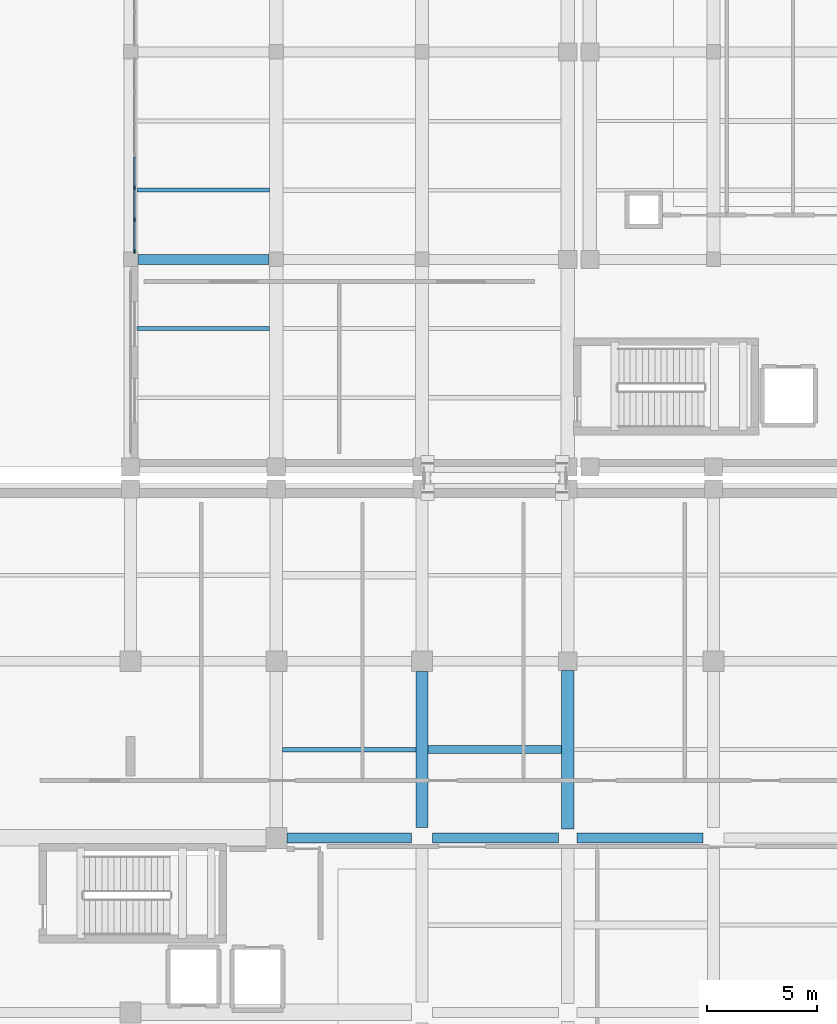
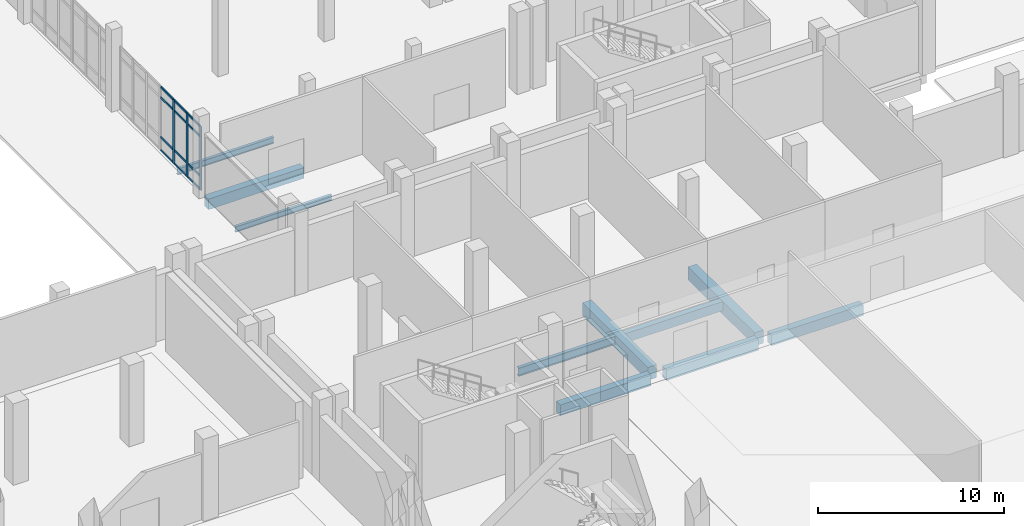
# One storey, part 27 of 79: 15 members, 10 beams, 1 element without a shape of its own.
"""IFC4 building model written with IfcOpenShell, lengths in metres."""

from ifc_helpers import new_model, si_unit, direction, frame, origin, origin_2d, place, context, subcontext, project, spatial, rectangle, i_section, extrude, material, layer, layer_set, material_profile, profile_set, type_object, element, aggregate, save


model = new_model("IFC4")

# Units and contexts
model_context = context("Model", 3, precision=1e-05, world=origin(), true_north=direction((0.0, 1.0)))
body_context = subcontext(model_context, "Body", "Model", "MODEL_VIEW")
ifc_project = project(units=[si_unit("LENGTHUNIT", "METRE"), si_unit("AREAUNIT", "SQUARE_METRE"), si_unit("VOLUMEUNIT", "CUBIC_METRE"), si_unit("PLANEANGLEUNIT", "RADIAN"), si_unit("MASSUNIT", "GRAM", prefix="KILO")], contexts=[model_context])

# Site, building, storey
site_placement = place(None, origin())
site = spatial("IfcSite", under=ifc_project, at=site_placement, CompositionType="ELEMENT")
building_placement = place(site_placement, origin())
building = spatial("IfcBuilding", under=site, at=building_placement, Name="Kelarvand Opera House", CompositionType="ELEMENT")
storey_placement = place(building_placement, origin())
storey = spatial("IfcBuildingStorey", under=building, at=storey_placement, Name="L00", CompositionType="ELEMENT", Elevation=0.0)

# Curtain wall, members
ifc_material_1 = material(Name="Thermally broken aluminium and low-E glazing", Category="aluminium")
ifc_layer = layer(ifc_material_1, 0.179931640625, Name="Thermally broken aluminium and low-E glazing", Category="aluminium")
ifc_layer_set = layer_set([ifc_layer], Name="Thermally broken aluminium and low-E glazing")
curtain_wall_type = type_object("IfcCurtainWallType", Name="Unitised Low-E Curtain Wall 4361x4200 Mod 1450 CWF-38", PredefinedType="USERDEFINED", material=ifc_layer_set)
curtain_wall_placement = place(storey_placement, origin())
curtain_wall = element("IfcCurtainWall", 1, at=curtain_wall_placement, inside=storey, type_object=curtain_wall_type, Name="V5 L00 Curtain Wall CWF-38 (170)", ObjectType="UNITISED CURTAIN WALL", PredefinedType="USERDEFINED")
ifc_material_2 = material(Name="Thermally broken anodised aluminium", Category="aluminium")
ifc_material_profile_1 = material_profile(ifc_material_2, rectangle(XDim=0.06494140625, YDim=0.179931640625, at=origin_2d()), Name="ALU MULLION 65x180", Category="aluminium")
ifc_profile_set_1 = profile_set([ifc_material_profile_1], Name="Thermally broken anodised aluminium")
member_type_1 = type_object("IfcMemberType", Name="Curtain Wall Mullion 65x180 Aluminium", PredefinedType="MULLION", material=ifc_profile_set_1)
member_1_placement = place(storey_placement, frame((95.780029296875, 96.967529296875, 0.0), z_axis=(0.0, 0.0, 1.0), x_axis=(-1.0, 0.0, 0.0)))
member_1 = element("IfcMember", 2, at=member_1_placement, type_object=member_type_1, Name="CWF-38 mullion 1", PredefinedType="MULLION", context=body_context, shape_type="SweptSolid", body=[
    extrude(rectangle(XDim=0.06494140625, YDim=0.179931640625, at=origin_2d()), origin(), (0.0, 0.0, 1.0), 4.199951171875),
])
member_2_placement = place(storey_placement, frame((95.780029296875, 98.388671875, 0.0), z_axis=(0.0, 0.0, 1.0), x_axis=(-1.0, 0.0, 0.0)))
member_2 = element("IfcMember", 3, at=member_2_placement, type_object=member_type_1, Name="CWF-38 mullion 2", PredefinedType="MULLION", context=body_context, shape_type="SweptSolid", body=[
    extrude(rectangle(XDim=0.06494140625, YDim=0.179931640625, at=origin_2d()), origin(), (0.0, 0.0, 1.0), 4.199951171875),
])
member_3_placement = place(storey_placement, frame((95.780029296875, 99.84228515625, 0.0), z_axis=(0.0, 0.0, 1.0), x_axis=(-1.0, 0.0, 0.0)))
member_3 = element("IfcMember", 4, at=member_3_placement, type_object=member_type_1, Name="CWF-38 mullion 3", PredefinedType="MULLION", context=body_context, shape_type="SweptSolid", body=[
    extrude(rectangle(XDim=0.06494140625, YDim=0.179931640625, at=origin_2d()), origin(), (0.0, 0.0, 1.0), 4.199951171875),
])
ifc_material_profile_2 = material_profile(ifc_material_2, rectangle(XDim=0.06494140625, YDim=0.139892578125, at=origin_2d()), Name="ALU TRANSOM 65x140", Category="aluminium")
ifc_profile_set_2 = profile_set([ifc_material_profile_2], Name="Thermally broken anodised aluminium")
member_type_2 = type_object("IfcMemberType", Name="Curtain Wall Transom 65x140 Aluminium", PredefinedType="USERDEFINED", material=ifc_profile_set_2)
member_4_placement = place(storey_placement, frame((95.780029296875, 97.0, 0.032470703125), z_axis=(0.0, 1.0, 0.0), x_axis=(-1.0, 0.0, 0.0)))
member_4 = element("IfcMember", 5, at=member_4_placement, type_object=member_type_2, Name="CWF-38 transom 1.1", ObjectType="TRANSOM", PredefinedType="USERDEFINED", context=body_context, shape_type="SweptSolid", body=[
    extrude(rectangle(XDim=0.06494140625, YDim=0.139892578125, at=origin_2d()), origin(), (0.0, 0.0, 1.0), 1.356201171875),
])
member_5_placement = place(storey_placement, frame((95.780029296875, 97.0, 0.89990234375), z_axis=(0.0, 1.0, 0.0), x_axis=(-1.0, 0.0, 0.0)))
member_5 = element("IfcMember", 6, at=member_5_placement, type_object=member_type_2, Name="CWF-38 transom 1.2", ObjectType="TRANSOM", PredefinedType="USERDEFINED", context=body_context, shape_type="SweptSolid", body=[
    extrude(rectangle(XDim=0.06494140625, YDim=0.139892578125, at=origin_2d()), origin(), (0.0, 0.0, 1.0), 1.356201171875),
])
member_6_placement = place(storey_placement, frame((95.780029296875, 97.0, 3.5), z_axis=(0.0, 1.0, 0.0), x_axis=(-1.0, 0.0, 0.0)))
member_6 = element("IfcMember", 7, at=member_6_placement, type_object=member_type_2, Name="CWF-38 transom 1.3", ObjectType="TRANSOM", PredefinedType="USERDEFINED", context=body_context, shape_type="SweptSolid", body=[
    extrude(rectangle(XDim=0.06494140625, YDim=0.139892578125, at=origin_2d()), origin(), (0.0, 0.0, 1.0), 1.356201171875),
])
member_7_placement = place(storey_placement, frame((95.780029296875, 97.0, 4.16748046875), z_axis=(0.0, 1.0, 0.0), x_axis=(-1.0, 0.0, 0.0)))
member_7 = element("IfcMember", 8, at=member_7_placement, type_object=member_type_2, Name="CWF-38 transom 1.4", ObjectType="TRANSOM", PredefinedType="USERDEFINED", context=body_context, shape_type="SweptSolid", body=[
    extrude(rectangle(XDim=0.06494140625, YDim=0.139892578125, at=origin_2d()), origin(), (0.0, 0.0, 1.0), 1.356201171875),
])
member_8_placement = place(storey_placement, frame((95.780029296875, 98.421142578125, 0.032470703125), z_axis=(0.0, 1.0, 0.0), x_axis=(-1.0, 0.0, 0.0)))
member_8 = element("IfcMember", 9, at=member_8_placement, type_object=member_type_2, Name="CWF-38 transom 2.1", ObjectType="TRANSOM", PredefinedType="USERDEFINED", context=body_context, shape_type="SweptSolid", body=[
    extrude(rectangle(XDim=0.06494140625, YDim=0.139892578125, at=origin_2d()), origin(), (0.0, 0.0, 1.0), 1.388671875),
])
member_9_placement = place(storey_placement, frame((95.780029296875, 98.421142578125, 0.89990234375), z_axis=(0.0, 1.0, 0.0), x_axis=(-1.0, 0.0, 0.0)))
member_9 = element("IfcMember", 10, at=member_9_placement, type_object=member_type_2, Name="CWF-38 transom 2.2", ObjectType="TRANSOM", PredefinedType="USERDEFINED", context=body_context, shape_type="SweptSolid", body=[
    extrude(rectangle(XDim=0.06494140625, YDim=0.139892578125, at=origin_2d()), origin(), (0.0, 0.0, 1.0), 1.388671875),
])
member_10_placement = place(storey_placement, frame((95.780029296875, 98.421142578125, 3.5), z_axis=(0.0, 1.0, 0.0), x_axis=(-1.0, 0.0, 0.0)))
member_10 = element("IfcMember", 11, at=member_10_placement, type_object=member_type_2, Name="CWF-38 transom 2.3", ObjectType="TRANSOM", PredefinedType="USERDEFINED", context=body_context, shape_type="SweptSolid", body=[
    extrude(rectangle(XDim=0.06494140625, YDim=0.139892578125, at=origin_2d()), origin(), (0.0, 0.0, 1.0), 1.388671875),
])
member_11_placement = place(storey_placement, frame((95.780029296875, 98.421142578125, 4.16748046875), z_axis=(0.0, 1.0, 0.0), x_axis=(-1.0, 0.0, 0.0)))
member_11 = element("IfcMember", 12, at=member_11_placement, type_object=member_type_2, Name="CWF-38 transom 2.4", ObjectType="TRANSOM", PredefinedType="USERDEFINED", context=body_context, shape_type="SweptSolid", body=[
    extrude(rectangle(XDim=0.06494140625, YDim=0.139892578125, at=origin_2d()), origin(), (0.0, 0.0, 1.0), 1.388671875),
])
member_12_placement = place(storey_placement, frame((95.780029296875, 99.874755859375, 0.032470703125), z_axis=(0.0, 1.0, 0.0), x_axis=(-1.0, 0.0, 0.0)))
member_12 = element("IfcMember", 13, at=member_12_placement, type_object=member_type_2, Name="CWF-38 transom 3.1", ObjectType="TRANSOM", PredefinedType="USERDEFINED", context=body_context, shape_type="SweptSolid", body=[
    extrude(rectangle(XDim=0.06494140625, YDim=0.139892578125, at=origin_2d()), origin(), (0.0, 0.0, 1.0), 1.356201171875),
])
member_13_placement = place(storey_placement, frame((95.780029296875, 99.874755859375, 0.89990234375), z_axis=(0.0, 1.0, 0.0), x_axis=(-1.0, 0.0, 0.0)))
member_13 = element("IfcMember", 14, at=member_13_placement, type_object=member_type_2, Name="CWF-38 transom 3.2", ObjectType="TRANSOM", PredefinedType="USERDEFINED", context=body_context, shape_type="SweptSolid", body=[
    extrude(rectangle(XDim=0.06494140625, YDim=0.139892578125, at=origin_2d()), origin(), (0.0, 0.0, 1.0), 1.356201171875),
])
member_14_placement = place(storey_placement, frame((95.780029296875, 99.874755859375, 3.5), z_axis=(0.0, 1.0, 0.0), x_axis=(-1.0, 0.0, 0.0)))
member_14 = element("IfcMember", 15, at=member_14_placement, type_object=member_type_2, Name="CWF-38 transom 3.3", ObjectType="TRANSOM", PredefinedType="USERDEFINED", context=body_context, shape_type="SweptSolid", body=[
    extrude(rectangle(XDim=0.06494140625, YDim=0.139892578125, at=origin_2d()), origin(), (0.0, 0.0, 1.0), 1.356201171875),
])
member_15_placement = place(storey_placement, frame((95.780029296875, 99.874755859375, 4.16748046875), z_axis=(0.0, 1.0, 0.0), x_axis=(-1.0, 0.0, 0.0)))
member_15 = element("IfcMember", 16, at=member_15_placement, type_object=member_type_2, Name="CWF-38 transom 3.4", ObjectType="TRANSOM", PredefinedType="USERDEFINED", context=body_context, shape_type="SweptSolid", body=[
    extrude(rectangle(XDim=0.06494140625, YDim=0.139892578125, at=origin_2d()), origin(), (0.0, 0.0, 1.0), 1.356201171875),
])
aggregate(curtain_wall, [member_1, member_2, member_3, member_4, member_5, member_6, member_7, member_8, member_9, member_10, member_11, member_12, member_13, member_14, member_15])

# Beams
ifc_material_3 = material(Name="Concrete C35/45", Category="concrete")
ifc_material_profile_3 = material_profile(ifc_material_3, rectangle(XDim=0.35009765625, YDim=0.60009765625, at=origin_2d()), Name="RC 350x600", Category="concrete")
ifc_profile_set_3 = profile_set([ifc_material_profile_3], Name="Concrete C35/45")
beam_type_1 = type_object("IfcBeamType", Name="Structural Beam RC 350x600 BM-RC350x600", PredefinedType="BEAM", material=ifc_profile_set_3)
beam_1_placement = place(storey_placement, frame((109.074951171875, 74.39990234375, -0.6201171875), z_axis=(1.0, 0.0, 0.0), x_axis=(0.0, 1.0, 0.0)))
element("IfcBeam", 17, at=beam_1_placement, inside=storey, type_object=beam_type_1, Name="V1 L00 Beam BM-RC350x600", PredefinedType="BEAM", context=body_context, shape_type="SweptSolid", body=[
    extrude(rectangle(XDim=0.35009765625, YDim=0.60009765625, at=origin_2d()), origin(), (0.0, 0.0, 1.0), 6.050048828125),
])
ifc_material_4 = material(Name="Concrete C40/50", Category="concrete")
ifc_material_profile_4 = material_profile(ifc_material_4, rectangle(XDim=0.449951171875, YDim=0.699951171875, at=origin_2d()), Name="RC 450x700", Category="concrete")
ifc_profile_set_4 = profile_set([ifc_material_profile_4], Name="Concrete C40/50")
beam_type_2 = type_object("IfcBeamType", Name="Structural Beam RC 450x700 BM-RC450x700", PredefinedType="BEAM", material=ifc_profile_set_4)
beam_2_placement = place(storey_placement, frame((102.675048828125, 70.39990234375, -0.669921875), z_axis=(1.0, 0.0, 0.0), x_axis=(0.0, 1.0, 0.0)))
element("IfcBeam", 18, at=beam_2_placement, inside=storey, type_object=beam_type_2, Name="V1 L00 Beam BM-RC450x700", PredefinedType="BEAM", context=body_context, shape_type="SweptSolid", body=[
    extrude(rectangle(XDim=0.449951171875, YDim=0.699951171875, at=origin_2d()), origin(), (0.0, 0.0, 1.0), 5.64990234375),
])
beam_3_placement = place(storey_placement, frame((109.27490234375, 70.39990234375, -0.669921875), z_axis=(1.0, 0.0, 0.0), x_axis=(0.0, 1.0, 0.0)))
element("IfcBeam", 19, at=beam_3_placement, inside=storey, type_object=beam_type_2, Name="V1 L00 Beam BM-RC450x700", PredefinedType="BEAM", context=body_context, shape_type="SweptSolid", body=[
    extrude(rectangle(XDim=0.449951171875, YDim=0.699951171875, at=origin_2d()), origin(), (0.0, 0.0, 1.0), 5.715087890625),
])
beam_4_placement = place(storey_placement, frame((115.81005859375, 70.39990234375, -0.669921875), z_axis=(1.0, 0.0, 0.0), x_axis=(0.0, 1.0, 0.0)))
element("IfcBeam", 20, at=beam_4_placement, inside=storey, type_object=beam_type_2, Name="V1 L00 Beam BM-RC450x700", PredefinedType="BEAM", context=body_context, shape_type="SweptSolid", body=[
    extrude(rectangle(XDim=0.449951171875, YDim=0.699951171875, at=origin_2d()), origin(), (0.0, 0.0, 1.0), 5.71484375),
])
beam_5_placement = place(storey_placement, frame((95.925048828125, 96.60009765625, -0.64990234375), z_axis=(1.0, 0.0, 0.0), x_axis=(0.0, 1.0, 0.0)))
element("IfcBeam", 21, at=beam_5_placement, inside=storey, type_object=beam_type_2, Name="V5 L00 Beam BM-RC450x700", PredefinedType="BEAM", context=body_context, shape_type="SweptSolid", body=[
    extrude(rectangle(XDim=0.449951171875, YDim=0.699951171875, at=origin_2d()), origin(), (0.0, 0.0, 1.0), 5.949951171875),
])
ifc_material_profile_5 = material_profile(ifc_material_4, rectangle(XDim=0.550048828125, YDim=0.85009765625, at=origin_2d()), Name="RC 550x850", Category="concrete")
ifc_profile_set_5 = profile_set([ifc_material_profile_5], Name="Concrete C40/50")
beam_type_3 = type_object("IfcBeamType", Name="Structural Beam RC 550x850 BM-RC550x850", PredefinedType="BEAM", material=ifc_profile_set_5)
beam_6_placement = place(storey_placement, frame((108.800048828125, 70.875, -0.7451171875), z_axis=(0.0, 1.0, 0.0), x_axis=(-1.0, 0.0, 0.0)))
element("IfcBeam", 22, at=beam_6_placement, inside=storey, type_object=beam_type_3, Name="V1 L00 Beam BM-RC550x850", PredefinedType="BEAM", context=body_context, shape_type="SweptSolid", body=[
    extrude(rectangle(XDim=0.550048828125, YDim=0.85009765625, at=origin_2d()), origin(), (0.0, 0.0, 1.0), 7.050048828125),
])
beam_7_placement = place(storey_placement, frame((115.39990234375, 70.81005859375, -0.7451171875), z_axis=(0.0, 1.0, 0.0), x_axis=(-1.0, 0.0, 0.0)))
element("IfcBeam", 23, at=beam_7_placement, inside=storey, type_object=beam_type_3, Name="V1 L00 Beam BM-RC550x850", PredefinedType="BEAM", context=body_context, shape_type="SweptSolid", body=[
    extrude(rectangle(XDim=0.550048828125, YDim=0.85009765625, at=origin_2d()), origin(), (0.0, 0.0, 1.0), 7.179931640625),
])
ifc_material_5 = material(Name="Steel S355", Category="steel")
ifc_material_profile_6 = material_profile(ifc_material_5, i_section(OverallWidth=0.169921875, OverallDepth=0.360107421875, WebThickness=0.008056640625, FlangeThickness=0.0126953125, at=origin_2d()), Name="IPE 360", Category="steel")
ifc_profile_set_6 = profile_set([ifc_material_profile_6], Name="Steel S355")
beam_type_4 = type_object("IfcBeamType", Name="Structural Joist IPE 360 JS-IPE360", PredefinedType="JOIST", material=ifc_profile_set_6)
beam_8_placement = place(storey_placement, frame((95.89990234375, 93.466796875, -0.47998046875), z_axis=(1.0, 0.0, 0.0), x_axis=(0.0, 1.0, 0.0)))
element("IfcBeam", 24, at=beam_8_placement, inside=storey, type_object=beam_type_4, Name="V5 L00 Beam JS-IPE360", PredefinedType="JOIST", context=body_context, shape_type="SweptSolid", body=[
    extrude(i_section(OverallWidth=0.169921875, OverallDepth=0.360107421875, WebThickness=0.008056640625, FlangeThickness=0.0126953125, at=origin_2d()), origin(), (0.0, 0.0, 1.0), 6.0),
])
ifc_material_profile_7 = material_profile(ifc_material_5, i_section(OverallWidth=0.179931640625, OverallDepth=0.39990234375, WebThickness=0.008544921875, FlangeThickness=0.013427734375, at=origin_2d()), Name="IPE 400", Category="steel")
ifc_profile_set_7 = profile_set([ifc_material_profile_7], Name="Steel S355")
beam_type_5 = type_object("IfcBeamType", Name="Structural Joist IPE 400 JS-IPE400", PredefinedType="JOIST", material=ifc_profile_set_7)
beam_9_placement = place(storey_placement, frame((95.89990234375, 99.7333984375, -0.5), z_axis=(1.0, 0.0, 0.0), x_axis=(0.0, 1.0, 0.0)))
element("IfcBeam", 25, at=beam_9_placement, inside=storey, type_object=beam_type_5, Name="V5 L00 Beam JS-IPE400", PredefinedType="JOIST", context=body_context, shape_type="SweptSolid", body=[
    extrude(i_section(OverallWidth=0.179931640625, OverallDepth=0.39990234375, WebThickness=0.008544921875, FlangeThickness=0.013427734375, at=origin_2d()), origin(), (0.0, 0.0, 1.0), 6.0),
])
ifc_material_profile_8 = material_profile(ifc_material_5, i_section(OverallWidth=0.2099609375, OverallDepth=0.550048828125, WebThickness=0.010986328125, FlangeThickness=0.01708984375, at=origin_2d()), Name="IPE 550", Category="steel")
ifc_profile_set_8 = profile_set([ifc_material_profile_8], Name="Steel S355")
beam_type_6 = type_object("IfcBeamType", Name="Structural Joist IPE 550 JS-IPE550", PredefinedType="JOIST", material=ifc_profile_set_8)
beam_10_placement = place(storey_placement, frame((102.47509765625, 74.39990234375, -0.594970703125), z_axis=(1.0, 0.0, 0.0), x_axis=(0.0, 1.0, 0.0)))
element("IfcBeam", 26, at=beam_10_placement, inside=storey, type_object=beam_type_6, Name="V1 L00 Beam JS-IPE550", PredefinedType="JOIST", context=body_context, shape_type="SweptSolid", body=[
    extrude(i_section(OverallWidth=0.2099609375, OverallDepth=0.550048828125, WebThickness=0.010986328125, FlangeThickness=0.01708984375, at=origin_2d()), origin(), (0.0, 0.0, 1.0), 6.0498046875),
])

save(model, "model.ifc")
